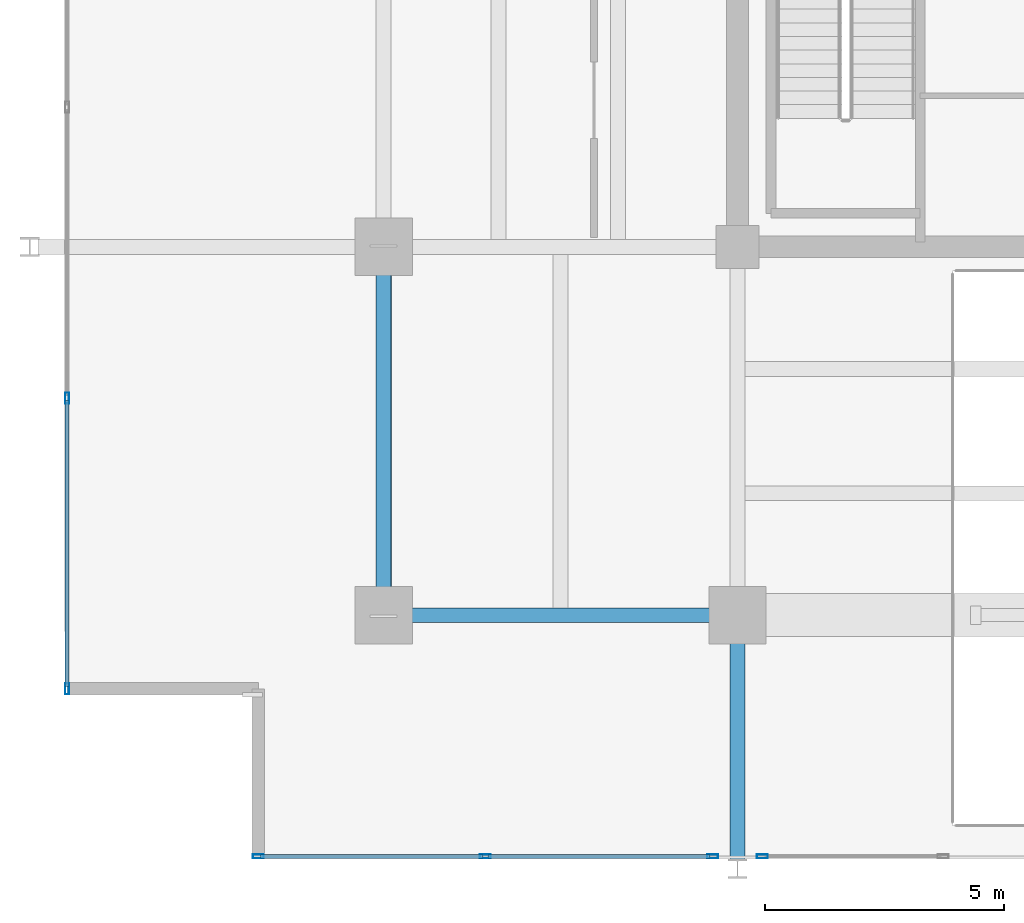
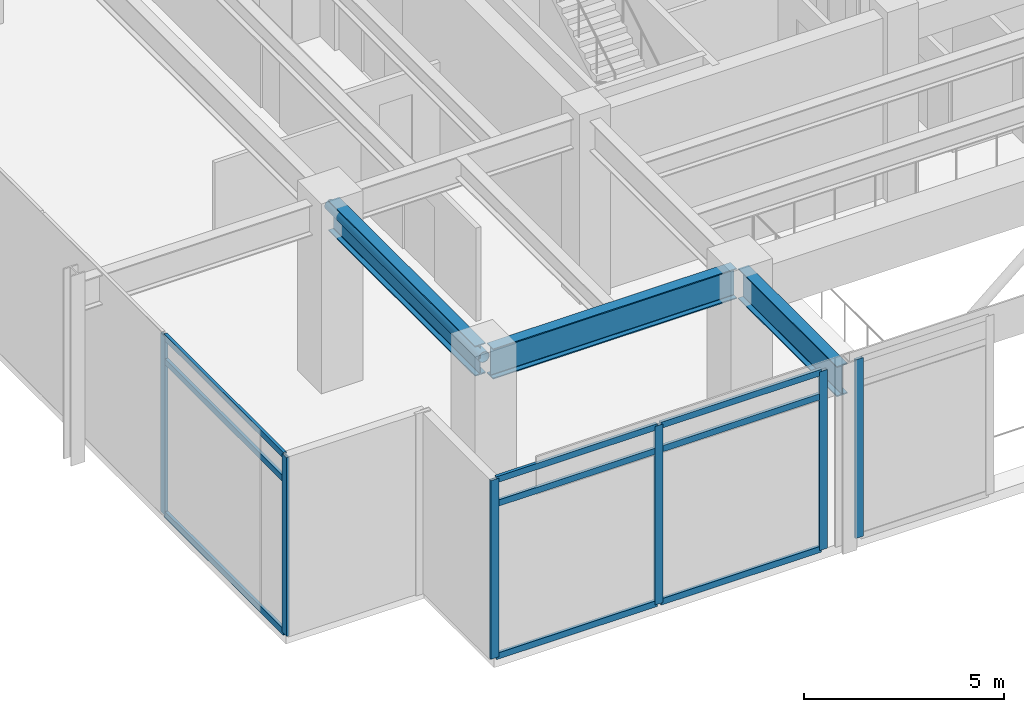
# One storey, part 2 of 25: 16 members, 3 beams, 3 elements without a shape of their own.
"""IFC4 building model written with IfcOpenShell, lengths in metres."""

import ifcopenshell
import ifcopenshell.guid

model = None  # the IFC model being written
_history = None  # IfcOwnerHistory: only IFC2X3 demands one
_inside = {}  # id of a spatial element -> (the spatial element, [elements in it])
_under = {}  # id of a project, library or spatial element -> (it, [spatial elements below it])
_declared = {}  # id of a project -> (the project, [libraries it declares])
_typed = {}  # id of a type object -> (the type object, [elements of that type])
_made_of = {}  # id of a material, layer set ... -> (it, [elements and type objects made of it])


def new_model(schema):
    """Start an empty IFC model of exactly this schema.

    Asked for "IFC4X3", IfcOpenShell would pick the latest addendum, in which some entities
    have other attributes; the version numbers below select the first issue.
    IFC2X3 requires an IfcOwnerHistory on every rooted entity: one is made here for all.
    """
    global model, _history
    if schema == "IFC4X3":
        model = ifcopenshell.file(schema_version=(4, 3, 0, 0))
    else:
        model = ifcopenshell.file(schema=schema)
    _inside.clear()
    _under.clear()
    _declared.clear()
    _typed.clear()
    _made_of.clear()
    _history = None
    if model.schema == "IFC2X3":
        org = make("IfcOrganization", Name="unknown")
        user = make(
            "IfcPersonAndOrganization",
            ThePerson=make("IfcPerson", FamilyName="unknown"),
            TheOrganization=org,
        )
        app = make(
            "IfcApplication",
            ApplicationDeveloper=org,
            Version="unknown",
            ApplicationFullName="unknown",
            ApplicationIdentifier="unknown",
        )
        _history = make(
            "IfcOwnerHistory",
            OwningUser=user,
            OwningApplication=app,
            ChangeAction="ADDED",
            CreationDate=0,
        )
    return model


def make(cls, **values):
    """One entity of the class cls with the attributes given. An attribute that is None is left unset."""
    return model.create_entity(
        cls, **{name: value for name, value in values.items() if value is not None}
    )


def rooted(cls, **values):
    """An entity with a GlobalId (a new one), such as an element, a storey or a relation."""
    return make(cls, GlobalId=ifcopenshell.guid.new(), OwnerHistory=_history, **values)


def si_unit(unit_type, name, prefix=None):
    """IfcSIUnit, for example si_unit("LENGTHUNIT", "METRE", prefix="MILLI")."""
    return make("IfcSIUnit", UnitType=unit_type, Prefix=prefix, Name=name)


def assignment(units):
    """IfcUnitAssignment: the units of a project."""
    return None if units is None else make("IfcUnitAssignment", Units=units)


def point(xyz):
    """IfcCartesianPoint."""
    return None if xyz is None else make("IfcCartesianPoint", Coordinates=xyz)


def direction(xyz):
    """IfcDirection."""
    return None if xyz is None else make("IfcDirection", DirectionRatios=xyz)


def frame(location, z_axis=None, x_axis=None):
    """IfcAxis2Placement3D, a coordinate frame: its origin and axes. An axis left out is left unset."""
    return make(
        "IfcAxis2Placement3D",
        Location=point(location),
        Axis=direction(z_axis),
        RefDirection=direction(x_axis),
    )


def frame_2d(location, x_axis=None):
    """IfcAxis2Placement2D, a coordinate frame in the plane: its origin and x axis."""
    return make(
        "IfcAxis2Placement2D", Location=point(location), RefDirection=direction(x_axis)
    )


def origin():
    """The frame at (0, 0, 0) with its axes left unset."""
    return frame((0.0, 0.0, 0.0))


def origin_2d():
    """The frame at (0, 0) in the plane with its x axis left unset."""
    return frame_2d((0.0, 0.0))


def place(relative_to, where):
    """IfcLocalPlacement: puts the frame where relative to a parent placement (None: the world)."""
    return make(
        "IfcLocalPlacement", PlacementRelTo=relative_to, RelativePlacement=where
    )


def context(
    kind, dimensions, precision=None, world=None, true_north=None, identifier=None
):
    """IfcGeometricRepresentationContext, for example the 3D "Model" context."""
    return make(
        "IfcGeometricRepresentationContext",
        ContextIdentifier=identifier,
        ContextType=kind,
        CoordinateSpaceDimension=dimensions,
        Precision=precision,
        WorldCoordinateSystem=world,
        TrueNorth=true_north,
    )


def subcontext(parent, identifier, kind, view, scale=None):
    """IfcGeometricRepresentationSubContext, for example "Body" below "Model"."""
    return make(
        "IfcGeometricRepresentationSubContext",
        ContextIdentifier=identifier,
        ContextType=kind,
        ParentContext=parent,
        TargetScale=scale,
        TargetView=view,
    )


def project(units=None, contexts=None):
    """IfcProject with its units and contexts."""
    return rooted(
        "IfcProject",
        Name="project",
        RepresentationContexts=contexts,
        UnitsInContext=assignment(units),
    )


def spatial(cls, under=None, at=None, **own):
    """A site, building, storey or space (cls), placed at a placement, below another one or the project."""
    s = rooted(cls, ObjectPlacement=at, **own)
    if under is not None:
        _under.setdefault(under.id(), (under, []))[1].append(s)
    return s


def profile(cls, at=None, kind="AREA", **sizes):
    """A parametric profile (cls). Its sizes go by their IFC names, for example OverallWidth=200.0."""
    return make(cls, ProfileType=kind, Position=at, **sizes)


def hollow_rectangle(**sizes):
    """IfcRectangleHollowProfileDef."""
    return profile("IfcRectangleHollowProfileDef", **sizes)


def hollow_circle(**sizes):
    """IfcCircleHollowProfileDef."""
    return profile("IfcCircleHollowProfileDef", **sizes)


def i_section(**sizes):
    """IfcIShapeProfileDef."""
    return profile("IfcIShapeProfileDef", **sizes)


def extrude(swept, where, along, depth):
    """IfcExtrudedAreaSolid: the profile swept, set in the frame where, extruded along a direction by depth."""
    return make(
        "IfcExtrudedAreaSolid",
        SweptArea=swept,
        Position=where,
        ExtrudedDirection=direction(along),
        Depth=depth,
    )


def shape(context_of_items, identifier, shape_type, items):
    """IfcShapeRepresentation: the items that make up one representation, for example the "Body"."""
    return make(
        "IfcShapeRepresentation",
        ContextOfItems=context_of_items,
        RepresentationIdentifier=identifier,
        RepresentationType=shape_type,
        Items=items,
    )


def material(Name=None, Category=None):
    """IfcMaterial."""
    return make("IfcMaterial", Name=Name, Category=Category)


def material_profile(
    of_material, cross_section, Name=None, Category=None, Priority=None
):
    """IfcMaterialProfile: a cross section and its material."""
    return make(
        "IfcMaterialProfile",
        Name=Name,
        Material=of_material,
        Profile=cross_section,
        Priority=Priority,
        Category=Category,
    )


def profile_set(profiles, Name=None, composite=None):
    """IfcMaterialProfileSet."""
    return make(
        "IfcMaterialProfileSet",
        Name=Name,
        MaterialProfiles=profiles,
        CompositeProfile=composite,
    )


def made_of(thing, what):
    """Note that an element or type object is made of a material, layer set ...; save() writes the relation."""
    if what is not None:
        _made_of.setdefault(what.id(), (what, []))[1].append(thing)
    return thing


def type_object(cls, material=None, **own):
    """A type object (cls), such as IfcWallType, which elements share."""
    return made_of(rooted(cls, **own), material)


def element(
    cls,
    number,
    at=None,
    inside=None,
    cuts=None,
    type_object=None,
    material=None,
    context=None,
    identifier="Body",
    shape_type=None,
    held_by="IfcProductDefinitionShape",
    body=None,
    shapes=None,
    **own,
):
    """One element of the class cls, such as IfcWall. Its Tag is "e" and its number.

    at: its placement. inside: the storey or other place that contains it. cuts: it is an
    opening in that element (IfcRelVoidsElement). A single representation is given by context,
    identifier, shape_type and body (its items); several are given by shapes. held_by: the class
    of the entity that holds the representations. save() writes the other relations.
    """
    e = rooted(cls, Tag="e%d" % number, ObjectPlacement=at, **own)
    if body is not None:
        shapes = [shape(context, identifier, shape_type, body)]
    if shapes is not None:
        e.Representation = make(held_by, Representations=shapes)
    if inside is not None:
        _inside.setdefault(inside.id(), (inside, []))[1].append(e)
    if cuts is not None:
        rooted(
            "IfcRelVoidsElement", RelatingBuildingElement=cuts, RelatedOpeningElement=e
        )
    if type_object is not None:
        _typed.setdefault(type_object.id(), (type_object, []))[1].append(e)
    return made_of(e, material)


def aggregate(whole, parts):
    """IfcRelAggregates: a whole, such as a stair, and the parts it consists of."""
    return rooted("IfcRelAggregates", RelatingObject=whole, RelatedObjects=parts)


def save(model, path):
    """Write the relations noted so far, then the file.

    IfcRelAggregates (storeys below a building ...), IfcRelContainedInSpatialStructure (elements
    in a storey), IfcRelDefinesByType, IfcRelAssociatesMaterial and IfcRelDeclares: one each for
    every whole, place, type object, material and project.
    """
    for whole, parts in _under.values():
        aggregate(whole, parts)
    for where, things in _inside.values():
        rooted(
            "IfcRelContainedInSpatialStructure",
            RelatedElements=things,
            RelatingStructure=where,
        )
    for kind, things in _typed.values():
        rooted("IfcRelDefinesByType", RelatedObjects=things, RelatingType=kind)
    for what, things in _made_of.values():
        rooted("IfcRelAssociatesMaterial", RelatedObjects=things, RelatingMaterial=what)
    for by, libraries in _declared.values():
        rooted("IfcRelDeclares", RelatingContext=by, RelatedDefinitions=libraries)
    model.write(path)


model = new_model("IFC4")

# Units and contexts
model_context = context("Model", 3, precision=1e-05, world=origin(), true_north=direction((0.0, 1.0)))
body_context = subcontext(model_context, "Body", "Model", "MODEL_VIEW")
ifc_project = project(units=[si_unit("LENGTHUNIT", "METRE"), si_unit("AREAUNIT", "SQUARE_METRE"), si_unit("VOLUMEUNIT", "CUBIC_METRE"), si_unit("PLANEANGLEUNIT", "RADIAN"), si_unit("MASSUNIT", "GRAM", prefix="KILO")], contexts=[model_context])

# Site, building, storey
site_placement = place(None, origin())
site = spatial("IfcSite", under=ifc_project, at=site_placement, CompositionType="ELEMENT")
building_placement = place(site_placement, origin())
building = spatial("IfcBuilding", under=site, at=building_placement, Name="Kovane Verandah Tower", CompositionType="ELEMENT")
storey_placement = place(building_placement, frame((0.0, 0.0, 295.199951171875)))
storey = spatial("IfcBuildingStorey", under=building, at=storey_placement, Name="L69", CompositionType="ELEMENT", Elevation=295.199951171875)

# Beams
ifc_material_1 = material(Name="Steel S460", Category="steel")
ifc_material_profile_1 = material_profile(ifc_material_1, i_section(OverallWidth=0.3076171875, OverallDepth=0.926513671875, WebThickness=0.01953125, FlangeThickness=0.031982421875, FilletRadius=0.01904296875, at=origin_2d()), Name="UB914x305x289")
ifc_profile_set_1 = profile_set([ifc_material_profile_1], Name="Steel S460")
beam_type = type_object("IfcBeamType", Name="BM-UB914x289", PredefinedType="BEAM", material=ifc_profile_set_1)
beam_1_placement = place(storey_placement, frame((21.780029296875, 10.800048828125, 5.036865234375), z_axis=(1.0, 0.0, 0.0), x_axis=(0.0, 1.0, 0.0)))
element("IfcBeam", 1, at=beam_1_placement, inside=storey, type_object=beam_type, Name="L69 Primary Tower Girder G-RS1", PredefinedType="BEAM", context=body_context, shape_type="SweptSolid", body=[
    extrude(i_section(OverallWidth=0.3076171875, OverallDepth=0.926513671875, WebThickness=0.01953125, FlangeThickness=0.031982421875, FilletRadius=0.01904296875, at=origin_2d()), origin(), (0.0, 0.0, 1.0), 7.0400390625),
])
beam_2_placement = place(storey_placement, frame((21.60009765625, 10.97998046875, 5.036865234375), z_axis=(0.0, 1.0, 0.0), x_axis=(-1.0, 0.0, 0.0)))
element("IfcBeam", 2, at=beam_2_placement, inside=storey, type_object=beam_type, Name="L69 Primary Tower Girder G-RW1", PredefinedType="BEAM", context=body_context, shape_type="SweptSolid", body=[
    extrude(i_section(OverallWidth=0.3076171875, OverallDepth=0.926513671875, WebThickness=0.01953125, FlangeThickness=0.031982421875, FilletRadius=0.01904296875, at=origin_2d()), origin(), (0.0, 0.0, 1.0), 7.340087890625),
])
beam_3_placement = place(storey_placement, frame((29.0, 10.6201171875, 5.036865234375), z_axis=(0.0, -1.0, 0.0), x_axis=(1.0, 0.0, 0.0)))
element("IfcBeam", 3, at=beam_3_placement, inside=storey, type_object=beam_type, Name="L69 Primary Tower Girder G-VS1", PredefinedType="BEAM", context=body_context, shape_type="SweptSolid", body=[
    extrude(i_section(OverallWidth=0.3076171875, OverallDepth=0.926513671875, WebThickness=0.01953125, FlangeThickness=0.031982421875, FilletRadius=0.01904296875, at=origin_2d()), origin(), (0.0, 0.0, 1.0), 4.940185546875),
])

# Curtain wall, members
ifc_material_2 = material(Name="Champagne Anodised Aluminium Frame with Low-E Clear Laminated Glass", Category="aluminium")
curtain_wall_type = type_object("IfcCurtainWallType", Name="CW-SYS-05-HIGH", PredefinedType="NOTDEFINED", material=ifc_material_2)
curtain_wall_1_placement = place(storey_placement, origin())
curtain_wall_1 = element("IfcCurtainWall", 4, at=curtain_wall_1_placement, inside=storey, type_object=curtain_wall_type, Name="L69 South-West Wind-Portal Curtain Wall 1", PredefinedType="NOTDEFINED")
ifc_material_3 = material(Name="Champagne Anodised Aluminium 6063-T6", Category="aluminium")
ifc_material_profile_2 = material_profile(ifc_material_3, hollow_rectangle(XDim=0.0849609375, YDim=0.22998046875, WallThickness=0.00390625, at=origin_2d()), Name="AL85x230x4")
ifc_profile_set_2 = profile_set([ifc_material_profile_2], Name="Champagne Anodised Aluminium 6063-T6")
member_type_1 = type_object("IfcMemberType", Name="CW-MUL-85x230", PredefinedType="MULLION", material=ifc_profile_set_2)
member_1_placement = place(storey_placement, frame((18.982177734375, 5.75830078125, 0.02001953125), z_axis=(0.0, 0.0, 1.0), x_axis=(0.0, -1.0, 0.0)))
member_1 = element("IfcMember", 5, at=member_1_placement, type_object=member_type_1, Name="L69 South-West Wind-Portal Curtain Wall 1 Mullion 1", PredefinedType="MULLION", context=body_context, shape_type="SweptSolid", body=[
    extrude(hollow_rectangle(XDim=0.0849609375, YDim=0.22998046875, WallThickness=0.00390625, at=origin_2d()), origin(), (0.0, 0.0, 1.0), 5.4599609375),
])
member_2_placement = place(storey_placement, frame((23.73095703125, 5.75830078125, 0.02001953125), z_axis=(0.0, 0.0, 1.0), x_axis=(0.0, -1.0, 0.0)))
member_2 = element("IfcMember", 6, at=member_2_placement, type_object=member_type_1, Name="L69 South-West Wind-Portal Curtain Wall 1 Mullion 2", PredefinedType="MULLION", context=body_context, shape_type="SweptSolid", body=[
    extrude(hollow_rectangle(XDim=0.0849609375, YDim=0.22998046875, WallThickness=0.00390625, at=origin_2d()), origin(), (0.0, 0.0, 1.0), 5.4599609375),
])
member_3_placement = place(storey_placement, frame((28.47998046875, 5.75830078125, 0.02001953125), z_axis=(0.0, 0.0, 1.0), x_axis=(0.0, -1.0, 0.0)))
member_3 = element("IfcMember", 7, at=member_3_placement, type_object=member_type_1, Name="L69 South-West Wind-Portal Curtain Wall 1 Mullion 3", PredefinedType="MULLION", context=body_context, shape_type="SweptSolid", body=[
    extrude(hollow_rectangle(XDim=0.0849609375, YDim=0.22998046875, WallThickness=0.00390625, at=origin_2d()), origin(), (0.0, 0.0, 1.0), 5.4599609375),
])

# Curtain wall, member
curtain_wall_2_placement = place(storey_placement, origin())
curtain_wall_2 = element("IfcCurtainWall", 8, at=curtain_wall_2_placement, inside=storey, type_object=curtain_wall_type, Name="L69 South-West Wind-Portal Curtain Wall 2", PredefinedType="NOTDEFINED")
member_4_placement = place(storey_placement, frame((29.52001953125, 5.75830078125, 0.02001953125), z_axis=(0.0, 0.0, 1.0), x_axis=(0.0, -1.0, 0.0)))
member_4 = element("IfcMember", 9, at=member_4_placement, type_object=member_type_1, Name="L69 South-West Wind-Portal Curtain Wall 2 Mullion 1", PredefinedType="MULLION", context=body_context, shape_type="SweptSolid", body=[
    extrude(hollow_rectangle(XDim=0.0849609375, YDim=0.22998046875, WallThickness=0.00390625, at=origin_2d()), origin(), (0.0, 0.0, 1.0), 5.4599609375),
])
aggregate(curtain_wall_2, [member_4])

# Curtain wall, members
curtain_wall_3_placement = place(storey_placement, origin())
curtain_wall_3 = element("IfcCurtainWall", 10, at=curtain_wall_3_placement, inside=storey, type_object=curtain_wall_type, Name="L69 W Unitised Curtain Wall", PredefinedType="NOTDEFINED")
member_5_placement = place(storey_placement, frame((14.982177734375, 15.3388671875, 0.02001953125), z_axis=(0.0, 0.0, 1.0), x_axis=(-1.0, 0.0, 0.0)))
member_5 = element("IfcMember", 11, at=member_5_placement, type_object=member_type_1, Name="L69 W Unitised Curtain Wall Mullion 6", PredefinedType="MULLION", context=body_context, shape_type="SweptSolid", body=[
    extrude(hollow_rectangle(XDim=0.0849609375, YDim=0.22998046875, WallThickness=0.00390625, at=origin_2d()), origin(), (0.0, 0.0, 1.0), 5.4599609375),
])
member_6_placement = place(storey_placement, frame((14.982177734375, 9.25830078125, 0.02001953125), z_axis=(0.0, 0.0, 1.0), x_axis=(-1.0, 0.0, 0.0)))
member_6 = element("IfcMember", 12, at=member_6_placement, type_object=member_type_1, Name="L69 W Unitised Curtain Wall Mullion 7", PredefinedType="MULLION", context=body_context, shape_type="SweptSolid", body=[
    extrude(hollow_rectangle(XDim=0.0849609375, YDim=0.22998046875, WallThickness=0.00390625, at=origin_2d()), origin(), (0.0, 0.0, 1.0), 5.4599609375),
])

# Member
ifc_material_profile_3 = material_profile(ifc_material_3, hollow_rectangle(XDim=0.0849609375, YDim=0.18994140625, WallThickness=0.00390625, at=origin_2d()), Name="AL85x190x4")
ifc_profile_set_3 = profile_set([ifc_material_profile_3], Name="Champagne Anodised Aluminium 6063-T6")
member_type_2 = type_object("IfcMemberType", Name="CW-TRN-85x190", PredefinedType="USERDEFINED", material=ifc_profile_set_3)
member_7_placement = place(storey_placement, frame((19.031982421875, 5.75830078125, 0.050048828125), z_axis=(1.0, 0.0, 0.0), x_axis=(0.0, 1.0, 0.0)))
member_7 = element("IfcMember", 13, at=member_7_placement, type_object=member_type_2, Name="L69 South-West Wind-Portal Curtain Wall 1 Transom TB Bay 1", ObjectType="TRANSOM", PredefinedType="USERDEFINED", context=body_context, shape_type="SweptSolid", body=[
    extrude(hollow_rectangle(XDim=0.0849609375, YDim=0.18994140625, WallThickness=0.00390625, at=origin_2d()), origin(), (0.0, 0.0, 1.0), 4.64892578125),
])

member_8_placement = place(storey_placement, frame((19.031982421875, 5.75830078125, 4.719970703125), z_axis=(1.0, 0.0, 0.0), x_axis=(0.0, 1.0, 0.0)))
member_8 = element("IfcMember", 14, at=member_8_placement, type_object=member_type_2, Name="L69 South-West Wind-Portal Curtain Wall 1 Transom TM Bay 1", ObjectType="TRANSOM", PredefinedType="USERDEFINED", context=body_context, shape_type="SweptSolid", body=[
    extrude(hollow_rectangle(XDim=0.0849609375, YDim=0.18994140625, WallThickness=0.00390625, at=origin_2d()), origin(), (0.0, 0.0, 1.0), 4.64892578125),
])

member_9_placement = place(storey_placement, frame((19.031982421875, 5.75830078125, 5.449951171875), z_axis=(1.0, 0.0, 0.0), x_axis=(0.0, 1.0, 0.0)))
member_9 = element("IfcMember", 15, at=member_9_placement, type_object=member_type_2, Name="L69 South-West Wind-Portal Curtain Wall 1 Transom TT Bay 1", ObjectType="TRANSOM", PredefinedType="USERDEFINED", context=body_context, shape_type="SweptSolid", body=[
    extrude(hollow_rectangle(XDim=0.0849609375, YDim=0.18994140625, WallThickness=0.00390625, at=origin_2d()), origin(), (0.0, 0.0, 1.0), 4.64892578125),
])

member_10_placement = place(storey_placement, frame((23.781005859375, 5.75830078125, 0.050048828125), z_axis=(1.0, 0.0, 0.0), x_axis=(0.0, 1.0, 0.0)))
member_10 = element("IfcMember", 16, at=member_10_placement, type_object=member_type_2, Name="L69 South-West Wind-Portal Curtain Wall 1 Transom TB Bay 2", ObjectType="TRANSOM", PredefinedType="USERDEFINED", context=body_context, shape_type="SweptSolid", body=[
    extrude(hollow_rectangle(XDim=0.0849609375, YDim=0.18994140625, WallThickness=0.00390625, at=origin_2d()), origin(), (0.0, 0.0, 1.0), 4.64892578125),
])

member_11_placement = place(storey_placement, frame((23.781005859375, 5.75830078125, 4.719970703125), z_axis=(1.0, 0.0, 0.0), x_axis=(0.0, 1.0, 0.0)))
member_11 = element("IfcMember", 17, at=member_11_placement, type_object=member_type_2, Name="L69 South-West Wind-Portal Curtain Wall 1 Transom TM Bay 2", ObjectType="TRANSOM", PredefinedType="USERDEFINED", context=body_context, shape_type="SweptSolid", body=[
    extrude(hollow_rectangle(XDim=0.0849609375, YDim=0.18994140625, WallThickness=0.00390625, at=origin_2d()), origin(), (0.0, 0.0, 1.0), 4.64892578125),
])

member_12_placement = place(storey_placement, frame((23.781005859375, 5.75830078125, 5.449951171875), z_axis=(1.0, 0.0, 0.0), x_axis=(0.0, 1.0, 0.0)))
member_12 = element("IfcMember", 18, at=member_12_placement, type_object=member_type_2, Name="L69 South-West Wind-Portal Curtain Wall 1 Transom TT Bay 2", ObjectType="TRANSOM", PredefinedType="USERDEFINED", context=body_context, shape_type="SweptSolid", body=[
    extrude(hollow_rectangle(XDim=0.0849609375, YDim=0.18994140625, WallThickness=0.00390625, at=origin_2d()), origin(), (0.0, 0.0, 1.0), 4.64892578125),
])

aggregate(curtain_wall_1, [member_1, member_2, member_3, member_7, member_8, member_9, member_10, member_11, member_12])

member_13_placement = place(storey_placement, frame((14.982177734375, 15.288818359375, 0.050048828125), z_axis=(0.0, -1.0, 0.0), x_axis=(1.0, 0.0, 0.0)))
member_13 = element("IfcMember", 19, at=member_13_placement, type_object=member_type_2, Name="L69 W Unitised Curtain Wall Transom TB Bay 6", ObjectType="TRANSOM", PredefinedType="USERDEFINED", context=body_context, shape_type="SweptSolid", body=[
    extrude(hollow_rectangle(XDim=0.0849609375, YDim=0.18994140625, WallThickness=0.00390625, at=origin_2d()), origin(), (0.0, 0.0, 1.0), 5.98046875),
])

member_14_placement = place(storey_placement, frame((14.982177734375, 15.288818359375, 4.719970703125), z_axis=(0.0, -1.0, 0.0), x_axis=(1.0, 0.0, 0.0)))
member_14 = element("IfcMember", 20, at=member_14_placement, type_object=member_type_2, Name="L69 W Unitised Curtain Wall Transom TM Bay 6", ObjectType="TRANSOM", PredefinedType="USERDEFINED", context=body_context, shape_type="SweptSolid", body=[
    extrude(hollow_rectangle(XDim=0.0849609375, YDim=0.18994140625, WallThickness=0.00390625, at=origin_2d()), origin(), (0.0, 0.0, 1.0), 5.98046875),
])

member_15_placement = place(storey_placement, frame((14.982177734375, 15.288818359375, 5.449951171875), z_axis=(0.0, -1.0, 0.0), x_axis=(1.0, 0.0, 0.0)))
member_15 = element("IfcMember", 21, at=member_15_placement, type_object=member_type_2, Name="L69 W Unitised Curtain Wall Transom TT Bay 6", ObjectType="TRANSOM", PredefinedType="USERDEFINED", context=body_context, shape_type="SweptSolid", body=[
    extrude(hollow_rectangle(XDim=0.0849609375, YDim=0.18994140625, WallThickness=0.00390625, at=origin_2d()), origin(), (0.0, 0.0, 1.0), 5.98046875),
])

aggregate(curtain_wall_3, [member_5, member_6, member_13, member_14, member_15])

ifc_material_profile_4 = material_profile(ifc_material_1, hollow_circle(Radius=0.161865234375, WallThickness=0.012451171875, at=origin_2d()), Name="CHS323.9x12.5")
ifc_profile_set_4 = profile_set([ifc_material_profile_4], Name="Steel S460")
member_type_3 = type_object("IfcMemberType", Name="MEM-STRUT-CHS324", PredefinedType="STRUT", material=ifc_profile_set_4)
member_16_placement = place(storey_placement, frame((21.60009765625, 10.800048828125, 5.219970703125), z_axis=(0.0, 1.0, 0.0), x_axis=(-1.0, 0.0, 0.0)))
element("IfcMember", 22, at=member_16_placement, inside=storey, type_object=member_type_3, Name="L69 Belt-Truss Ring Chord BW1", PredefinedType="STRUT", context=body_context, shape_type="SweptSolid", body=[
    extrude(hollow_circle(Radius=0.161865234375, WallThickness=0.012451171875, at=origin_2d()), origin(), (0.0, 0.0, 1.0), 7.699951171875),
])

save(model, "model.ifc")
